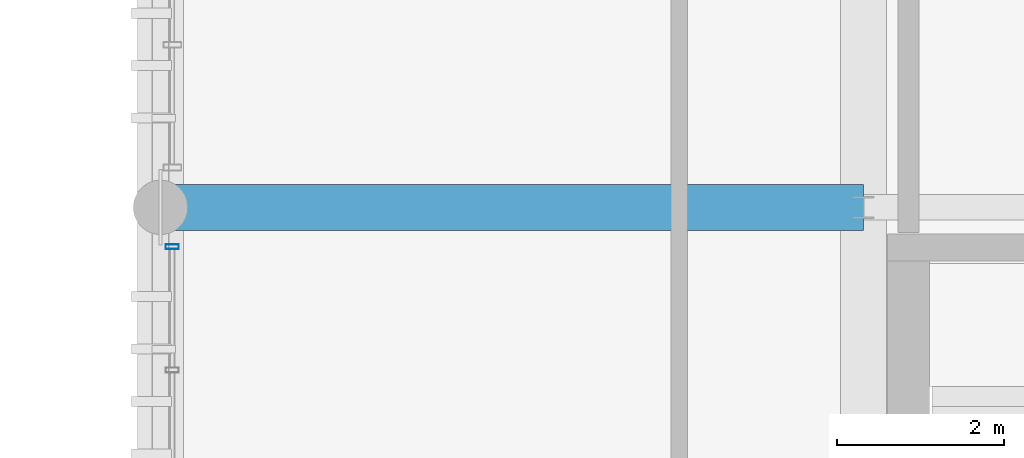
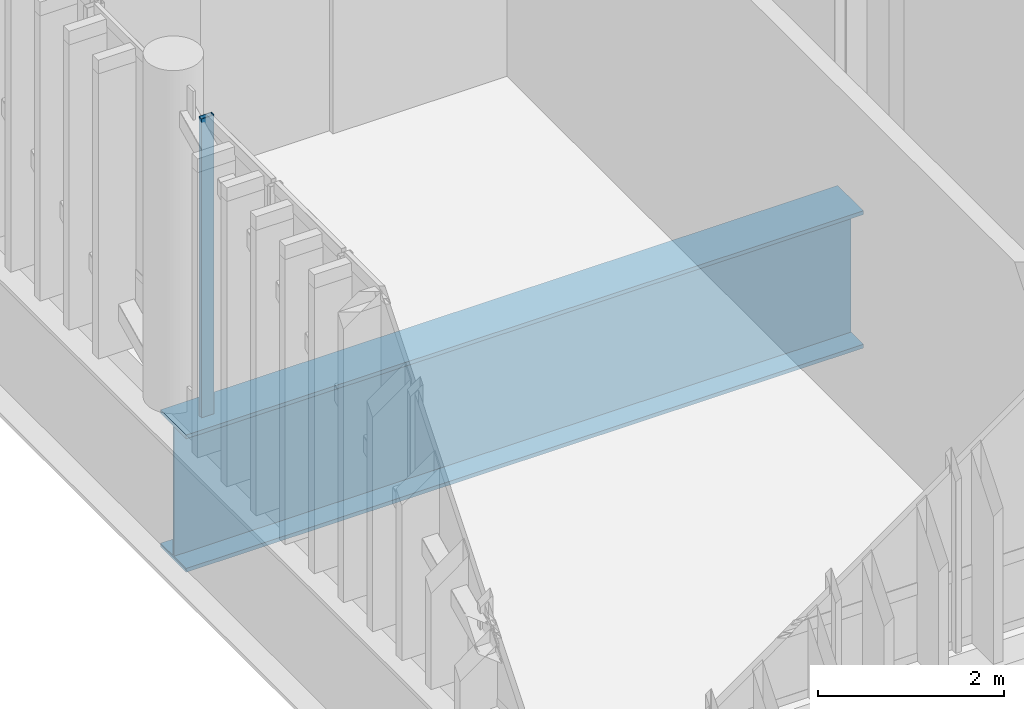
# One storey, part 28 of 53: 1 beam, 1 member, 1 element without a shape of its own.
"""IFC4 building model written with IfcOpenShell, lengths in metres."""

from ifc_helpers import new_model, si_unit, direction, frame, origin_with_axes, origin_2d_with_axis, place, context, subcontext, project, spatial, hollow_rectangle, i_section, extrude, material, material_profile, profile_set, type_object, element, aggregate, save


model = new_model("IFC4")

# Units and contexts
model_context = context("Model", 3, precision=1e-05, world=origin_with_axes(), true_north=direction((0.0, 1.0)))
body_context = subcontext(model_context, "Body", "Model", "MODEL_VIEW")
ifc_project = project(units=[si_unit("LENGTHUNIT", "METRE"), si_unit("AREAUNIT", "SQUARE_METRE"), si_unit("VOLUMEUNIT", "CUBIC_METRE"), si_unit("PLANEANGLEUNIT", "RADIAN"), si_unit("MASSUNIT", "GRAM", prefix="KILO"), si_unit("THERMODYNAMICTEMPERATUREUNIT", "KELVIN")], contexts=[model_context])

# Site, building, storey
site_placement = place(None, origin_with_axes())
site = spatial("IfcSite", under=ifc_project, at=site_placement, CompositionType="ELEMENT")
building_placement = place(site_placement, origin_with_axes())
building = spatial("IfcBuilding", under=site, at=building_placement, Name="Montbau Bow Law Courts", CompositionType="ELEMENT")
storey_placement = place(building_placement, frame((0.0, 0.0, 39.0), z_axis=(0.0, 0.0, 1.0), x_axis=(1.0, 0.0, 0.0)))
storey = spatial("IfcBuildingStorey", under=building, at=storey_placement, Name="L08", CompositionType="ELEMENT", Elevation=39.0)

# Beam
ifc_material_1 = material(Name="Steel CSA G40.21 Grade 350WT (350 MPa)", Category="steel")
ifc_material_profile_1 = material_profile(ifc_material_1, i_section(OverallWidth=0.55, OverallDepth=1.8, WebThickness=0.022, FlangeThickness=0.05, at=origin_2d_with_axis()), Name="WWF1800X550", Category="Main", Priority=0)
ifc_profile_set_1 = profile_set([ifc_material_profile_1], Name="Steel CSA G40.21 Grade 350WT (350 MPa)")
beam_type = type_object("IfcBeamType", Name="B-TRG-01", PredefinedType="USERDEFINED", material=ifc_profile_set_1)
beam_placement = place(None, frame((138.6, 94.8, 37.76), z_axis=(1.0, 0.0, 0.0), x_axis=(0.0, 1.0, 0.0)))
element("IfcBeam", 1, at=beam_placement, inside=storey, type_object=beam_type, Name="TRG-L08-S0112:bm2_0115", ObjectType="GIRDER", PredefinedType="USERDEFINED", context=body_context, shape_type="SweptSolid", body=[
    extrude(i_section(OverallWidth=0.55, OverallDepth=1.8, WebThickness=0.022, FlangeThickness=0.05, at=origin_2d_with_axis()), origin_with_axes(), (0.0, 0.0, 1.0), 8.4),
])

# Curtain wall, member
ifc_material_2 = material(Name="Thermally Broken Extruded Aluminium AA 6063-T6", Category="aluminium")
curtain_wall_type = type_object("IfcCurtainWallType", Name="CW-CRM-03", PredefinedType="NOTDEFINED", material=ifc_material_2)
curtain_wall_placement = place(None, frame((138.74, 86.84, 39.0), z_axis=(0.0, 0.0, 1.0), x_axis=(1.0, 0.0, 0.0)))
curtain_wall = element("IfcCurtainWall", 2, at=curtain_wall_placement, inside=storey, type_object=curtain_wall_type, Name="CW-L08-380:cw_0380", PredefinedType="NOTDEFINED")
ifc_material_profile_2 = material_profile(ifc_material_2, hollow_rectangle(XDim=0.06, YDim=0.16, WallThickness=0.004, InnerFilletRadius=0.008, OuterFilletRadius=0.004, at=origin_2d_with_axis()), Name="CWM-160X60", Category="Main", Priority=0)
ifc_profile_set_2 = profile_set([ifc_material_profile_2], Name="Thermally Broken Extruded Aluminium AA 6063-T6")
member_type = type_object("IfcMemberType", Name="M-MUL-03", PredefinedType="MULLION", material=ifc_profile_set_2)
member_placement = place(None, frame((138.74, 94.33, 39.0), z_axis=(0.0, 0.0, 1.0), x_axis=(0.0, 1.0, 0.0)))
member = element("IfcMember", 3, at=member_placement, type_object=member_type, Name="CW-L08-380-M06:cw_0380_M06", PredefinedType="MULLION", context=body_context, shape_type="SweptSolid", body=[
    extrude(hollow_rectangle(XDim=0.06, YDim=0.16, WallThickness=0.004, InnerFilletRadius=0.008, OuterFilletRadius=0.004, at=origin_2d_with_axis()), origin_with_axes(), (0.0, 0.0, 1.0), 3.92),
])
aggregate(curtain_wall, [member])

save(model, "model.ifc")
